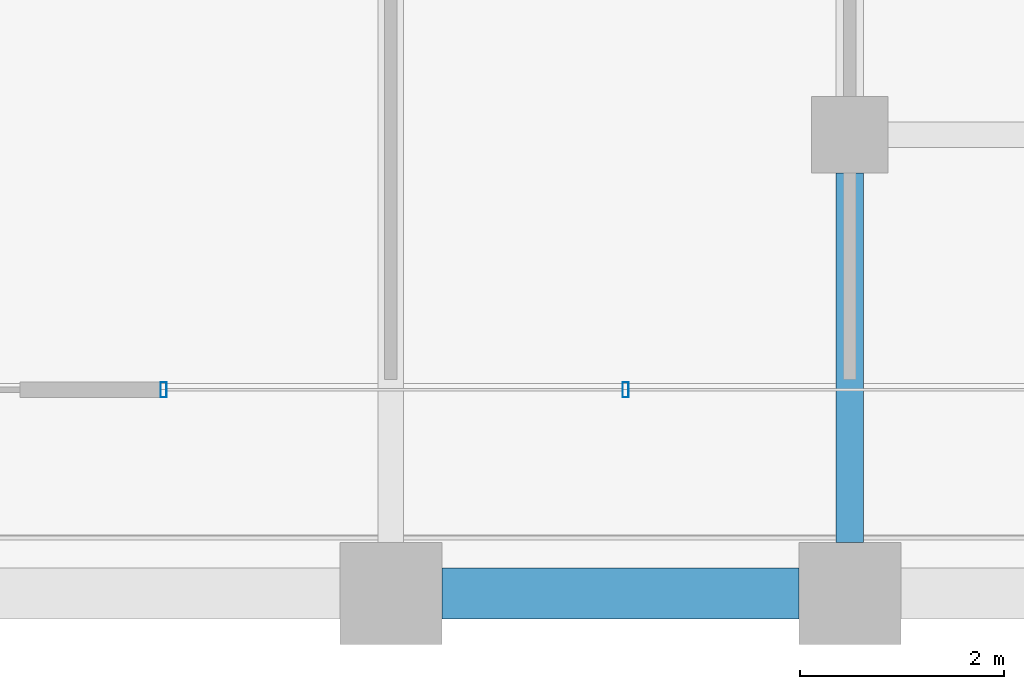
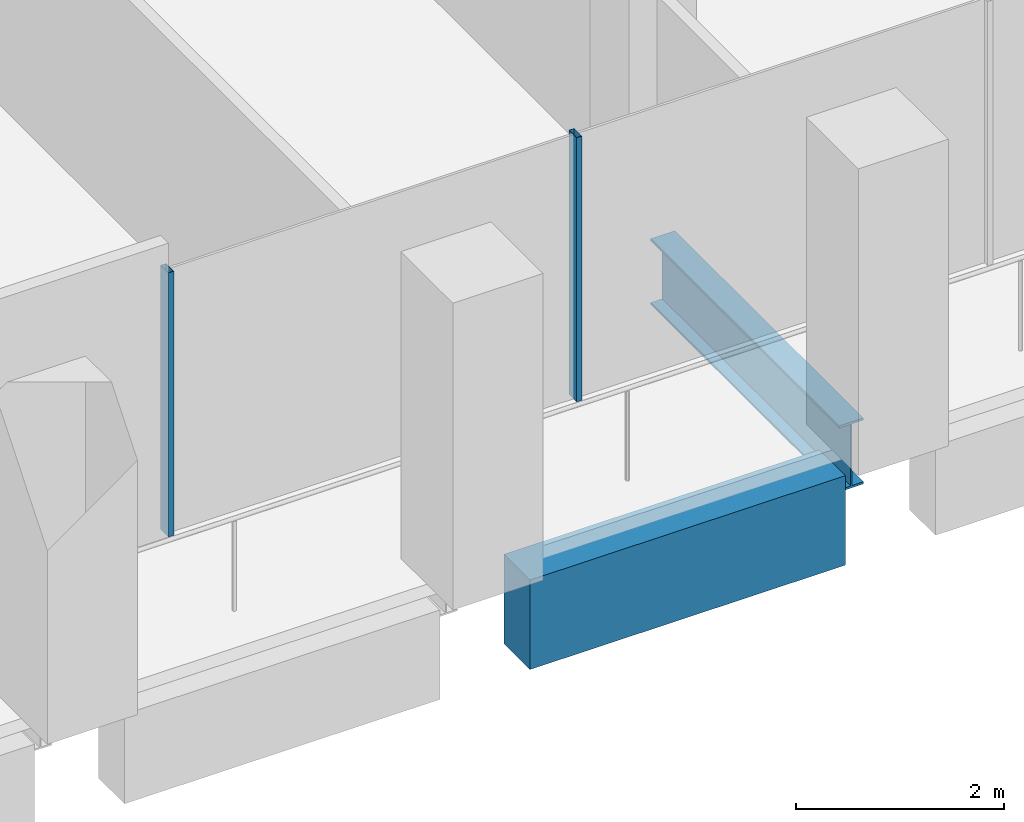
# One storey, part 9 of 47: 2 beams, 2 members, 1 element without a shape of its own.
"""IFC4 building model written with IfcOpenShell, lengths in metres."""

from ifc_helpers import new_model, si_unit, direction, frame, origin, origin_2d, place, context, subcontext, project, spatial, rectangle, hollow_rectangle, i_section, extrude, material, material_profile, profile_set, type_object, element, aggregate, save


model = new_model("IFC4")

# Units and contexts
model_context = context("Model", 3, precision=1e-05, world=origin(), true_north=direction((0.0, 1.0)))
body_context = subcontext(model_context, "Body", "Model", "MODEL_VIEW")
ifc_project = project(units=[si_unit("LENGTHUNIT", "METRE"), si_unit("AREAUNIT", "SQUARE_METRE"), si_unit("VOLUMEUNIT", "CUBIC_METRE"), si_unit("PLANEANGLEUNIT", "RADIAN"), si_unit("MASSUNIT", "GRAM", prefix="KILO")], contexts=[model_context])

# Site, building, storey
site_placement = place(None, origin())
site = spatial("IfcSite", under=ifc_project, at=site_placement, CompositionType="ELEMENT")
building_placement = place(site_placement, origin())
building = spatial("IfcBuilding", under=site, at=building_placement, Name="Altepetl Exchange Towers", CompositionType="ELEMENT")
storey_placement = place(building_placement, frame((0.0, 0.0, 95.60009765625)))
storey = spatial("IfcBuildingStorey", under=building, at=storey_placement, Name="L23", CompositionType="ELEMENT", Elevation=95.60009765625)

# Beam
ifc_material_1 = material(Name="Steel S355", Category="steel")
ifc_material_profile_1 = material_profile(ifc_material_1, i_section(OverallWidth=0.26806640625, OverallDepth=0.77392578125, WebThickness=0.015380859375, FlangeThickness=0.025390625, at=origin_2d()), Name="W30X132")
ifc_profile_set_1 = profile_set([ifc_material_profile_1], Name="Steel S355")
beam_type_1 = type_object("IfcBeamType", Name="Girder W30X132", PredefinedType="BEAM", material=ifc_profile_set_1)
beam_1_placement = place(storey_placement, frame((58.5, 31.125, -0.537109375), z_axis=(0.0, -1.0, 0.0), x_axis=(1.0, 0.0, 0.0)))
element("IfcBeam", 1, at=beam_1_placement, inside=storey, type_object=beam_type_1, Name="gd:A:L23:005", PredefinedType="BEAM", context=body_context, shape_type="SweptSolid", body=[
    extrude(i_section(OverallWidth=0.26806640625, OverallDepth=0.77392578125, WebThickness=0.015380859375, FlangeThickness=0.025390625, at=origin_2d()), origin(), (0.0, 0.0, 1.0), 3.625),
])

# Curtain wall, members
ifc_material_2 = material(Name="Aluminium 6063-T6 glazing", Category="aluminium")
curtain_wall_type = type_object("IfcCurtainWallType", Name="Loggia glazing system", PredefinedType="NOTDEFINED", material=ifc_material_2)
curtain_wall_placement = place(storey_placement, origin())
curtain_wall = element("IfcCurtainWall", 2, at=curtain_wall_placement, inside=storey, type_object=curtain_wall_type, Name="CW1 run", PredefinedType="NOTDEFINED")
ifc_material_3 = material(Name="Aluminium 6063-T6", Category="aluminium")
ifc_material_profile_2 = material_profile(ifc_material_3, hollow_rectangle(XDim=0.06005859375, YDim=0.14990234375, WallThickness=0.0029296875, at=origin_2d()), Name="Mullion 60x150 aluminium")
ifc_profile_set_2 = profile_set([ifc_material_profile_2], Name="Aluminium 6063-T6")
member_type = type_object("IfcMemberType", Name="Mullion 60x150 aluminium", PredefinedType="MULLION", material=ifc_profile_set_2)
member_1_placement = place(storey_placement, frame((51.77294921875, 29.0, 0.0)))
member_1 = element("IfcMember", 3, at=member_1_placement, type_object=member_type, Name="MU1 mullion", PredefinedType="MULLION", context=body_context, shape_type="SweptSolid", body=[
    extrude(hollow_rectangle(XDim=0.06005859375, YDim=0.14990234375, WallThickness=0.0029296875, at=origin_2d()), origin(), (0.0, 0.0, 1.0), 3.099853515625),
])
member_2_placement = place(storey_placement, frame((56.303466796875, 29.0, 0.0)))
member_2 = element("IfcMember", 4, at=member_2_placement, type_object=member_type, Name="MU1 mullion", PredefinedType="MULLION", context=body_context, shape_type="SweptSolid", body=[
    extrude(hollow_rectangle(XDim=0.06005859375, YDim=0.14990234375, WallThickness=0.0029296875, at=origin_2d()), origin(), (0.0, 0.0, 1.0), 3.099853515625),
])
aggregate(curtain_wall, [member_1, member_2])

# Beam
ifc_material_4 = material(Name="Concrete C50/60 precast with cantera blanca facing", Category="concrete")
ifc_material_profile_3 = material_profile(ifc_material_4, rectangle(XDim=0.5, YDim=1.050048828125, at=origin_2d()), Name="500 x 1050")
ifc_profile_set_3 = profile_set([ifc_material_profile_3], Name="Concrete C50/60 precast with cantera blanca facing")
beam_type_2 = type_object("IfcBeamType", Name="Spandrel beam 500x1050 cantera blanca", PredefinedType="SPANDREL", material=ifc_profile_set_3)
beam_2_placement = place(storey_placement, frame((54.5, 27.0, -0.675048828125), z_axis=(1.0, 0.0, 0.0), x_axis=(0.0, 1.0, 0.0)))
element("IfcBeam", 5, at=beam_2_placement, inside=storey, type_object=beam_type_2, Name="sp:A:L23:005", PredefinedType="SPANDREL", context=body_context, shape_type="SweptSolid", body=[
    extrude(rectangle(XDim=0.5, YDim=1.050048828125, at=origin_2d()), origin(), (0.0, 0.0, 1.0), 3.5),
])

save(model, "model.ifc")
